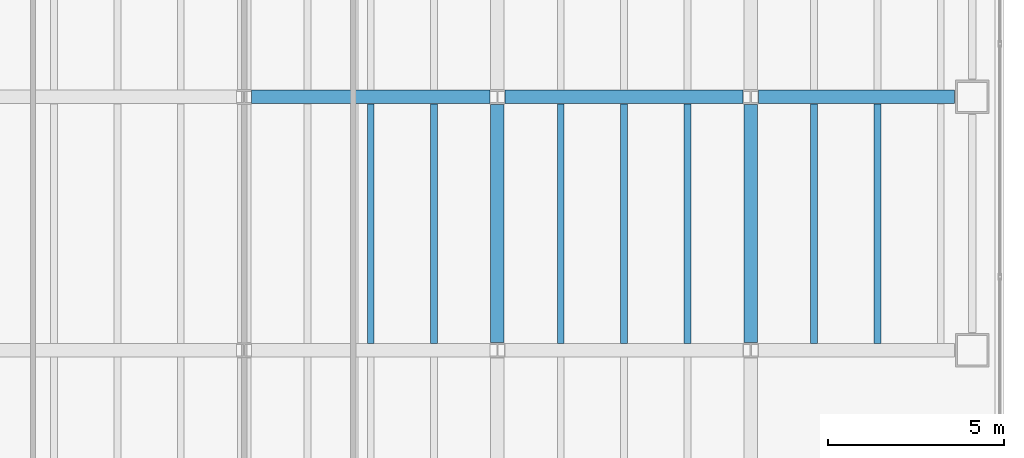
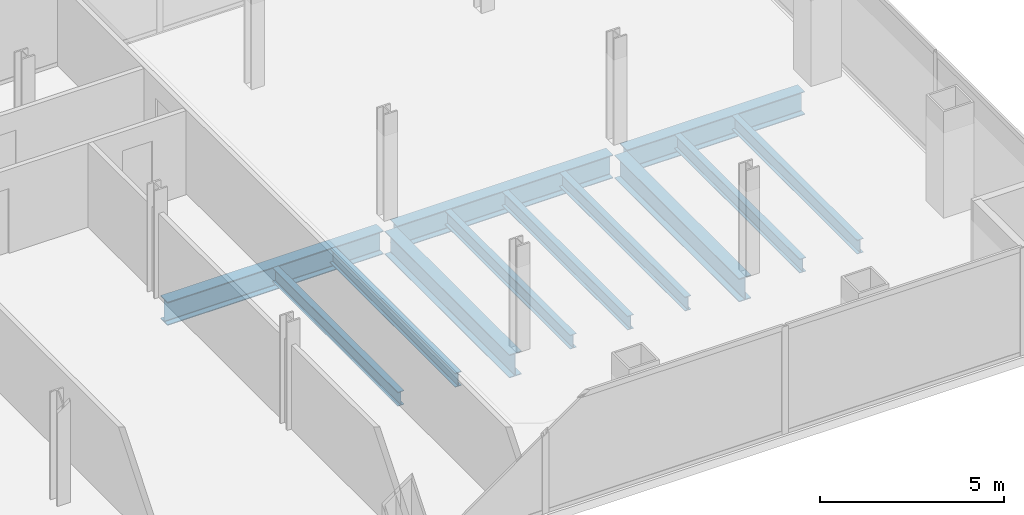
# One storey, part 9 of 24: 12 beams.
"""IFC4 building model written with IfcOpenShell, lengths in metres."""

from ifc_helpers import new_model, si_unit, direction, frame, origin, origin_2d, place, context, subcontext, project, spatial, i_section, extrude, material, material_profile, profile_set, type_object, element, save


model = new_model("IFC4")

# Units and contexts
model_context = context("Model", 3, precision=1e-05, world=origin(), true_north=direction((0.0, 1.0)))
body_context = subcontext(model_context, "Body", "Model", "MODEL_VIEW")
ifc_project = project(units=[si_unit("LENGTHUNIT", "METRE"), si_unit("AREAUNIT", "SQUARE_METRE"), si_unit("VOLUMEUNIT", "CUBIC_METRE"), si_unit("PLANEANGLEUNIT", "RADIAN"), si_unit("MASSUNIT", "GRAM", prefix="KILO")], contexts=[model_context])

# Site, building, storey
site_placement = place(None, origin())
site = spatial("IfcSite", under=ifc_project, at=site_placement, CompositionType="ELEMENT")
building_placement = place(site_placement, origin())
building = spatial("IfcBuilding", under=site, at=building_placement, Name="Cobrela Telecom Tower", CompositionType="ELEMENT")
storey_placement = place(building_placement, frame((0.0, 0.0, 77.35009765625)))
storey = spatial("IfcBuildingStorey", under=building, at=storey_placement, Name="L19", CompositionType="ELEMENT", Elevation=77.35009765625)

# Beams
ifc_material = material(Name="Steel ASTM A992 Grade 50", Category="steel")
ifc_material_profile_1 = material_profile(ifc_material, i_section(OverallWidth=0.381103515625, OverallDepth=0.77197265625, WebThickness=0.0166015625, FlangeThickness=0.027099609375, FilletRadius=0.01904296875, at=origin_2d()), Name="W30X173")
ifc_profile_set_1 = profile_set([ifc_material_profile_1], Name="Steel ASTM A992 Grade 50")
beam_type_1 = type_object("IfcBeamType", Name="BM-GIRD-04", PredefinedType="USERDEFINED", material=ifc_profile_set_1)
for number, where, z_axis, x_axis, name in (
    (1, (29.01611328125, 14.39990234375, -0.666015625), (1.0, 0.0, 0.0), (0.0, 1.0, 0.0), "L19 Primary Girder X15"),
    (2, (36.216064453125, 14.39990234375, -0.666015625), (1.0, 0.0, 0.0), (0.0, 1.0, 0.0), "L19 Primary Girder X16"),
):
    element("IfcBeam", number, at=place(storey_placement, frame(where, z_axis=z_axis, x_axis=x_axis)), inside=storey, type_object=beam_type_1, Name=name, ObjectType="GIRDER", PredefinedType="USERDEFINED", context=body_context, shape_type="SweptSolid", body=[
        extrude(i_section(OverallWidth=0.381103515625, OverallDepth=0.77197265625, WebThickness=0.0166015625, FlangeThickness=0.027099609375, FilletRadius=0.01904296875, at=origin_2d()), origin(), (0.0, 0.0, 1.0), 6.767822265625),
    ])
beam_placement = place(storey_placement, frame((43.416015625, 14.39990234375, -0.666015625), z_axis=(1.0, 0.0, 0.0), x_axis=(0.0, 1.0, 0.0)))
element("IfcBeam", 3, at=beam_placement, inside=storey, type_object=beam_type_1, Name="L19 Primary Girder X17", ObjectType="GIRDER", PredefinedType="USERDEFINED", context=body_context, shape_type="SweptSolid", body=[
    extrude(i_section(OverallWidth=0.381103515625, OverallDepth=0.77197265625, WebThickness=0.0166015625, FlangeThickness=0.027099609375, FilletRadius=0.01904296875, at=origin_2d()), origin(), (0.0, 0.0, 1.0), 5.5791015625),
])
for number, where, z_axis, x_axis, name in (
    (4, (36.0, 7.416015625, -0.666015625), (0.0, 1.0, 0.0), (-1.0, 0.0, 0.0), "L19 Primary Girder Y51"),
    (5, (43.199951171875, 7.416015625, -0.666015625), (0.0, 1.0, 0.0), (-1.0, 0.0, 0.0), "L19 Primary Girder Y54"),
):
    element("IfcBeam", number, at=place(storey_placement, frame(where, z_axis=z_axis, x_axis=x_axis)), inside=storey, type_object=beam_type_1, Name=name, ObjectType="GIRDER", PredefinedType="USERDEFINED", context=body_context, shape_type="SweptSolid", body=[
        extrude(i_section(OverallWidth=0.381103515625, OverallDepth=0.77197265625, WebThickness=0.0166015625, FlangeThickness=0.027099609375, FilletRadius=0.01904296875, at=origin_2d()), origin(), (0.0, 0.0, 1.0), 6.76806640625),
    ])
ifc_material_profile_2 = material_profile(ifc_material, i_section(OverallWidth=0.193115234375, OverallDepth=0.467041015625, WebThickness=0.011474609375, FlangeThickness=0.01904296875, FilletRadius=0.012939453125, at=origin_2d()), Name="W18X65")
ifc_profile_set_2 = profile_set([ifc_material_profile_2], Name="Steel ASTM A992 Grade 50")
beam_type_2 = type_object("IfcBeamType", Name="BM-JOIST-03", PredefinedType="JOIST", material=ifc_profile_set_2)
for number, where, z_axis, x_axis, name in (
    (6, (32.39990234375, 7.3955078125, -0.513671875), (0.0, 1.0, 0.0), (-1.0, 0.0, 0.0), "L19 Secondary Composite Floor Beam J45"),
    (7, (34.199951171875, 7.3955078125, -0.513671875), (0.0, 1.0, 0.0), (-1.0, 0.0, 0.0), "L19 Secondary Composite Floor Beam J48"),
    (8, (37.800048828125, 7.3955078125, -0.513671875), (0.0, 1.0, 0.0), (-1.0, 0.0, 0.0), "L19 Secondary Composite Floor Beam J51"),
    (9, (39.60009765625, 7.3955078125, -0.513671875), (0.0, 1.0, 0.0), (-1.0, 0.0, 0.0), "L19 Secondary Composite Floor Beam J54"),
    (10, (41.39990234375, 7.3955078125, -0.513671875), (0.0, 1.0, 0.0), (-1.0, 0.0, 0.0), "L19 Secondary Composite Floor Beam J57"),
    (11, (45.0, 7.3955078125, -0.513671875), (0.0, 1.0, 0.0), (-1.0, 0.0, 0.0), "L19 Secondary Composite Floor Beam J59"),
    (12, (46.800048828125, 7.3955078125, -0.513671875), (0.0, 1.0, 0.0), (-1.0, 0.0, 0.0), "L19 Secondary Composite Floor Beam J61"),
):
    element("IfcBeam", number, at=place(storey_placement, frame(where, z_axis=z_axis, x_axis=x_axis)), inside=storey, type_object=beam_type_2, Name=name, PredefinedType="JOIST", context=body_context, shape_type="SweptSolid", body=[
        extrude(i_section(OverallWidth=0.193115234375, OverallDepth=0.467041015625, WebThickness=0.011474609375, FlangeThickness=0.01904296875, FilletRadius=0.012939453125, at=origin_2d()), origin(), (0.0, 0.0, 1.0), 6.80908203125),
    ])

save(model, "model.ifc")
